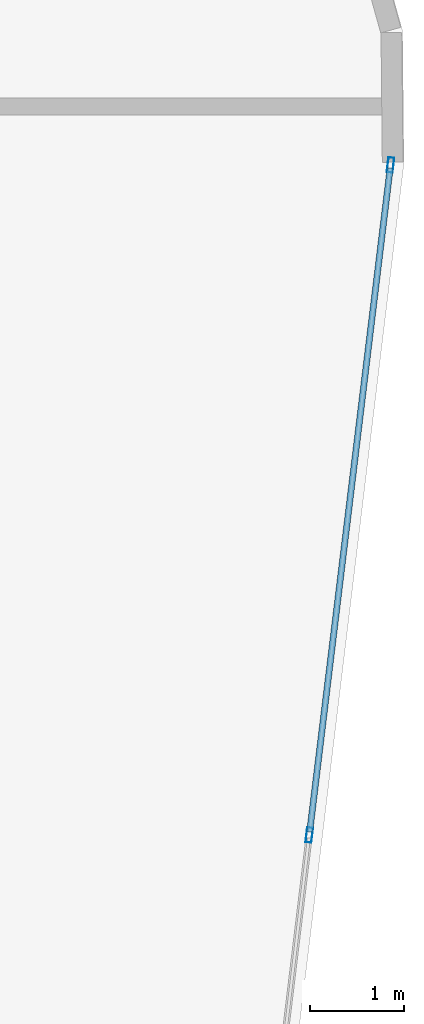
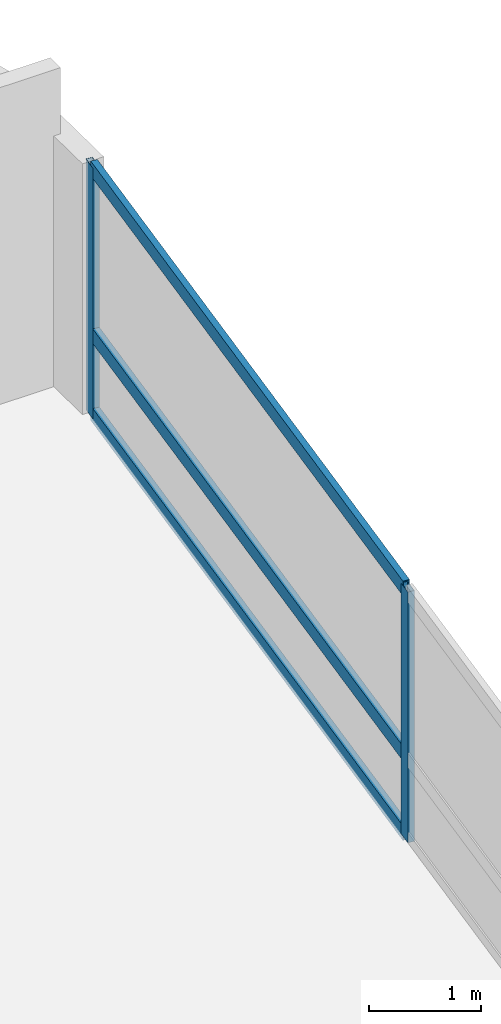
# One storey, part 18 of 26: 5 members, 1 element without a shape of its own.
"""IFC4 building model written with IfcOpenShell, lengths in metres."""

import ifcopenshell
import ifcopenshell.guid

model = None  # the IFC model being written
_history = None  # IfcOwnerHistory: only IFC2X3 demands one
_inside = {}  # id of a spatial element -> (the spatial element, [elements in it])
_under = {}  # id of a project, library or spatial element -> (it, [spatial elements below it])
_declared = {}  # id of a project -> (the project, [libraries it declares])
_typed = {}  # id of a type object -> (the type object, [elements of that type])
_made_of = {}  # id of a material, layer set ... -> (it, [elements and type objects made of it])


def new_model(schema):
    """Start an empty IFC model of exactly this schema.

    Asked for "IFC4X3", IfcOpenShell would pick the latest addendum, in which some entities
    have other attributes; the version numbers below select the first issue.
    IFC2X3 requires an IfcOwnerHistory on every rooted entity: one is made here for all.
    """
    global model, _history
    if schema == "IFC4X3":
        model = ifcopenshell.file(schema_version=(4, 3, 0, 0))
    else:
        model = ifcopenshell.file(schema=schema)
    _inside.clear()
    _under.clear()
    _declared.clear()
    _typed.clear()
    _made_of.clear()
    _history = None
    if model.schema == "IFC2X3":
        org = make("IfcOrganization", Name="unknown")
        user = make(
            "IfcPersonAndOrganization",
            ThePerson=make("IfcPerson", FamilyName="unknown"),
            TheOrganization=org,
        )
        app = make(
            "IfcApplication",
            ApplicationDeveloper=org,
            Version="unknown",
            ApplicationFullName="unknown",
            ApplicationIdentifier="unknown",
        )
        _history = make(
            "IfcOwnerHistory",
            OwningUser=user,
            OwningApplication=app,
            ChangeAction="ADDED",
            CreationDate=0,
        )
    return model


def make(cls, **values):
    """One entity of the class cls with the attributes given. An attribute that is None is left unset."""
    return model.create_entity(
        cls, **{name: value for name, value in values.items() if value is not None}
    )


def rooted(cls, **values):
    """An entity with a GlobalId (a new one), such as an element, a storey or a relation."""
    return make(cls, GlobalId=ifcopenshell.guid.new(), OwnerHistory=_history, **values)


def si_unit(unit_type, name, prefix=None):
    """IfcSIUnit, for example si_unit("LENGTHUNIT", "METRE", prefix="MILLI")."""
    return make("IfcSIUnit", UnitType=unit_type, Prefix=prefix, Name=name)


def assignment(units):
    """IfcUnitAssignment: the units of a project."""
    return None if units is None else make("IfcUnitAssignment", Units=units)


def point(xyz):
    """IfcCartesianPoint."""
    return None if xyz is None else make("IfcCartesianPoint", Coordinates=xyz)


def direction(xyz):
    """IfcDirection."""
    return None if xyz is None else make("IfcDirection", DirectionRatios=xyz)


def frame(location, z_axis=None, x_axis=None):
    """IfcAxis2Placement3D, a coordinate frame: its origin and axes. An axis left out is left unset."""
    return make(
        "IfcAxis2Placement3D",
        Location=point(location),
        Axis=direction(z_axis),
        RefDirection=direction(x_axis),
    )


def frame_2d(location, x_axis=None):
    """IfcAxis2Placement2D, a coordinate frame in the plane: its origin and x axis."""
    return make(
        "IfcAxis2Placement2D", Location=point(location), RefDirection=direction(x_axis)
    )


def origin():
    """The frame at (0, 0, 0) with its axes left unset."""
    return frame((0.0, 0.0, 0.0))


def origin_2d():
    """The frame at (0, 0) in the plane with its x axis left unset."""
    return frame_2d((0.0, 0.0))


def place(relative_to, where):
    """IfcLocalPlacement: puts the frame where relative to a parent placement (None: the world)."""
    return make(
        "IfcLocalPlacement", PlacementRelTo=relative_to, RelativePlacement=where
    )


def context(
    kind, dimensions, precision=None, world=None, true_north=None, identifier=None
):
    """IfcGeometricRepresentationContext, for example the 3D "Model" context."""
    return make(
        "IfcGeometricRepresentationContext",
        ContextIdentifier=identifier,
        ContextType=kind,
        CoordinateSpaceDimension=dimensions,
        Precision=precision,
        WorldCoordinateSystem=world,
        TrueNorth=true_north,
    )


def subcontext(parent, identifier, kind, view, scale=None):
    """IfcGeometricRepresentationSubContext, for example "Body" below "Model"."""
    return make(
        "IfcGeometricRepresentationSubContext",
        ContextIdentifier=identifier,
        ContextType=kind,
        ParentContext=parent,
        TargetScale=scale,
        TargetView=view,
    )


def project(units=None, contexts=None):
    """IfcProject with its units and contexts."""
    return rooted(
        "IfcProject",
        Name="project",
        RepresentationContexts=contexts,
        UnitsInContext=assignment(units),
    )


def spatial(cls, under=None, at=None, **own):
    """A site, building, storey or space (cls), placed at a placement, below another one or the project."""
    s = rooted(cls, ObjectPlacement=at, **own)
    if under is not None:
        _under.setdefault(under.id(), (under, []))[1].append(s)
    return s


def profile(cls, at=None, kind="AREA", **sizes):
    """A parametric profile (cls). Its sizes go by their IFC names, for example OverallWidth=200.0."""
    return make(cls, ProfileType=kind, Position=at, **sizes)


def hollow_rectangle(**sizes):
    """IfcRectangleHollowProfileDef."""
    return profile("IfcRectangleHollowProfileDef", **sizes)


def extrude(swept, where, along, depth):
    """IfcExtrudedAreaSolid: the profile swept, set in the frame where, extruded along a direction by depth."""
    return make(
        "IfcExtrudedAreaSolid",
        SweptArea=swept,
        Position=where,
        ExtrudedDirection=direction(along),
        Depth=depth,
    )


def shape(context_of_items, identifier, shape_type, items):
    """IfcShapeRepresentation: the items that make up one representation, for example the "Body"."""
    return make(
        "IfcShapeRepresentation",
        ContextOfItems=context_of_items,
        RepresentationIdentifier=identifier,
        RepresentationType=shape_type,
        Items=items,
    )


def material(Name=None, Category=None):
    """IfcMaterial."""
    return make("IfcMaterial", Name=Name, Category=Category)


def layer(
    of_material, thickness, ventilated=None, Name=None, Category=None, Priority=None
):
    """IfcMaterialLayer: one layer of a wall or slab, of a material (None: an air gap)."""
    return make(
        "IfcMaterialLayer",
        Material=of_material,
        LayerThickness=thickness,
        IsVentilated=ventilated,
        Name=Name,
        Category=Category,
        Priority=Priority,
    )


def layer_set(layers, Name=None):
    """IfcMaterialLayerSet."""
    return make("IfcMaterialLayerSet", MaterialLayers=layers, LayerSetName=Name)


def material_profile(
    of_material, cross_section, Name=None, Category=None, Priority=None
):
    """IfcMaterialProfile: a cross section and its material."""
    return make(
        "IfcMaterialProfile",
        Name=Name,
        Material=of_material,
        Profile=cross_section,
        Priority=Priority,
        Category=Category,
    )


def profile_set(profiles, Name=None, composite=None):
    """IfcMaterialProfileSet."""
    return make(
        "IfcMaterialProfileSet",
        Name=Name,
        MaterialProfiles=profiles,
        CompositeProfile=composite,
    )


def made_of(thing, what):
    """Note that an element or type object is made of a material, layer set ...; save() writes the relation."""
    if what is not None:
        _made_of.setdefault(what.id(), (what, []))[1].append(thing)
    return thing


def type_object(cls, material=None, **own):
    """A type object (cls), such as IfcWallType, which elements share."""
    return made_of(rooted(cls, **own), material)


def element(
    cls,
    number,
    at=None,
    inside=None,
    cuts=None,
    type_object=None,
    material=None,
    context=None,
    identifier="Body",
    shape_type=None,
    held_by="IfcProductDefinitionShape",
    body=None,
    shapes=None,
    **own,
):
    """One element of the class cls, such as IfcWall. Its Tag is "e" and its number.

    at: its placement. inside: the storey or other place that contains it. cuts: it is an
    opening in that element (IfcRelVoidsElement). A single representation is given by context,
    identifier, shape_type and body (its items); several are given by shapes. held_by: the class
    of the entity that holds the representations. save() writes the other relations.
    """
    e = rooted(cls, Tag="e%d" % number, ObjectPlacement=at, **own)
    if body is not None:
        shapes = [shape(context, identifier, shape_type, body)]
    if shapes is not None:
        e.Representation = make(held_by, Representations=shapes)
    if inside is not None:
        _inside.setdefault(inside.id(), (inside, []))[1].append(e)
    if cuts is not None:
        rooted(
            "IfcRelVoidsElement", RelatingBuildingElement=cuts, RelatedOpeningElement=e
        )
    if type_object is not None:
        _typed.setdefault(type_object.id(), (type_object, []))[1].append(e)
    return made_of(e, material)


def aggregate(whole, parts):
    """IfcRelAggregates: a whole, such as a stair, and the parts it consists of."""
    return rooted("IfcRelAggregates", RelatingObject=whole, RelatedObjects=parts)


def save(model, path):
    """Write the relations noted so far, then the file.

    IfcRelAggregates (storeys below a building ...), IfcRelContainedInSpatialStructure (elements
    in a storey), IfcRelDefinesByType, IfcRelAssociatesMaterial and IfcRelDeclares: one each for
    every whole, place, type object, material and project.
    """
    for whole, parts in _under.values():
        aggregate(whole, parts)
    for where, things in _inside.values():
        rooted(
            "IfcRelContainedInSpatialStructure",
            RelatedElements=things,
            RelatingStructure=where,
        )
    for kind, things in _typed.values():
        rooted("IfcRelDefinesByType", RelatedObjects=things, RelatingType=kind)
    for what, things in _made_of.values():
        rooted("IfcRelAssociatesMaterial", RelatedObjects=things, RelatingMaterial=what)
    for by, libraries in _declared.values():
        rooted("IfcRelDeclares", RelatingContext=by, RelatedDefinitions=libraries)
    model.write(path)


model = new_model("IFC4")

# Units and contexts
model_context = context("Model", 3, precision=1e-05, world=origin(), true_north=direction((0.0, 1.0)))
body_context = subcontext(model_context, "Body", "Model", "MODEL_VIEW")
ifc_project = project(units=[si_unit("LENGTHUNIT", "METRE"), si_unit("AREAUNIT", "SQUARE_METRE"), si_unit("VOLUMEUNIT", "CUBIC_METRE"), si_unit("PLANEANGLEUNIT", "RADIAN"), si_unit("MASSUNIT", "GRAM", prefix="KILO")], contexts=[model_context])

# Site, building, storey
site_placement = place(None, origin())
site = spatial("IfcSite", under=ifc_project, at=site_placement, CompositionType="ELEMENT")
building_placement = place(site_placement, origin())
building = spatial("IfcBuilding", under=site, at=building_placement, Name="Varnelok Gate Tower", CompositionType="ELEMENT")
storey_placement = place(building_placement, frame((0.0, 0.0, 125.39990234375)))
storey = spatial("IfcBuildingStorey", under=building, at=storey_placement, Name="L31", CompositionType="ELEMENT", Elevation=125.39990234375)

# Curtain wall, members
ifc_material = material(Name="Anodized Aluminum Alloy 6063-T6", Category="aluminium")
ifc_layer = layer(ifc_material, 0.179931640625)
ifc_layer_set = layer_set([ifc_layer], Name="Anodized Aluminum Alloy 6063-T6")
curtain_wall_type = type_object("IfcCurtainWallType", Name="CW3-HOTEL-VISION", PredefinedType="USERDEFINED", material=ifc_layer_set)
curtain_wall_placement = place(storey_placement, origin())
curtain_wall = element("IfcCurtainWall", 1, at=curtain_wall_placement, inside=storey, type_object=curtain_wall_type, Name="L31 East End Vision Curtain Wall", ObjectType="UNITISED CURTAIN WALL", PredefinedType="USERDEFINED")
ifc_material_profile_1 = material_profile(ifc_material, hollow_rectangle(XDim=0.06494140625, YDim=0.159912109375, WallThickness=0.00390625, at=origin_2d()), Name="ALU160X65X4")
ifc_profile_set_1 = profile_set([ifc_material_profile_1], Name="Anodized Aluminum Alloy 6063-T6")
member_type_1 = type_object("IfcMemberType", Name="CW-MULL-160", PredefinedType="MULLION", material=ifc_profile_set_1)
member_1_placement = place(storey_placement, frame((78.153076171875, 38.677001953125, 0.0), z_axis=(0.0, 0.0, 1.0), x_axis=(0.99273188146, -0.120347046212, 0.0)))
member_1 = element("IfcMember", 2, at=member_1_placement, type_object=member_type_1, Name="CW3 mullion 1", PredefinedType="MULLION", context=body_context, shape_type="SweptSolid", body=[
    extrude(hollow_rectangle(XDim=0.06494140625, YDim=0.159912109375, WallThickness=0.00390625, at=origin_2d()), origin(), (0.0, 0.0, 1.0), 2.72998046875),
])
member_2_placement = place(storey_placement, frame((77.290283203125, 31.5615234375, 0.0), z_axis=(0.0, 0.0, 1.0), x_axis=(0.99273188146, -0.120347046212, 0.0)))
member_2 = element("IfcMember", 3, at=member_2_placement, type_object=member_type_1, Name="CW3 mullion 2", PredefinedType="MULLION", context=body_context, shape_type="SweptSolid", body=[
    extrude(hollow_rectangle(XDim=0.06494140625, YDim=0.159912109375, WallThickness=0.00390625, at=origin_2d()), origin(), (0.0, 0.0, 1.0), 2.72998046875),
])
ifc_material_profile_2 = material_profile(ifc_material, hollow_rectangle(XDim=0.06494140625, YDim=0.159912109375, WallThickness=0.00390625, at=origin_2d()), Name="ALU160X65X4")
ifc_profile_set_2 = profile_set([ifc_material_profile_2], Name="Anodized Aluminum Alloy 6063-T6")
member_type_2 = type_object("IfcMemberType", Name="CW-TRAN-160", PredefinedType="USERDEFINED", material=ifc_profile_set_2)
member_3_placement = place(storey_placement, frame((78.149169921875, 38.644775390625, 0.03271484375), z_axis=(-0.120374481497, -0.992728555147, 0.0), x_axis=(0.992728555147, -0.120374481497, 0.0)))
member_3 = element("IfcMember", 4, at=member_3_placement, type_object=member_type_2, Name="CW3 transom 1.1", ObjectType="TRANSOM", PredefinedType="USERDEFINED", context=body_context, shape_type="SweptSolid", body=[
    extrude(hollow_rectangle(XDim=0.06494140625, YDim=0.159912109375, WallThickness=0.00390625, at=origin_2d()), origin(), (0.0, 0.0, 1.0), 7.102783203125),
])
member_4_placement = place(storey_placement, frame((78.149169921875, 38.644775390625, 0.900146484375), z_axis=(-0.120374481497, -0.992728555147, 0.0), x_axis=(0.992728555147, -0.120374481497, 0.0)))
member_4 = element("IfcMember", 5, at=member_4_placement, type_object=member_type_2, Name="CW3 transom 1.2", ObjectType="TRANSOM", PredefinedType="USERDEFINED", context=body_context, shape_type="SweptSolid", body=[
    extrude(hollow_rectangle(XDim=0.06494140625, YDim=0.159912109375, WallThickness=0.00390625, at=origin_2d()), origin(), (0.0, 0.0, 1.0), 7.102783203125),
])
member_5_placement = place(storey_placement, frame((78.149169921875, 38.644775390625, 2.697509765625), z_axis=(-0.120374481497, -0.992728555147, 0.0), x_axis=(0.992728555147, -0.120374481497, 0.0)))
member_5 = element("IfcMember", 6, at=member_5_placement, type_object=member_type_2, Name="CW3 transom 1.3", ObjectType="TRANSOM", PredefinedType="USERDEFINED", context=body_context, shape_type="SweptSolid", body=[
    extrude(hollow_rectangle(XDim=0.06494140625, YDim=0.159912109375, WallThickness=0.00390625, at=origin_2d()), origin(), (0.0, 0.0, 1.0), 7.102783203125),
])
aggregate(curtain_wall, [member_1, member_2, member_3, member_4, member_5])

save(model, "model.ifc")
